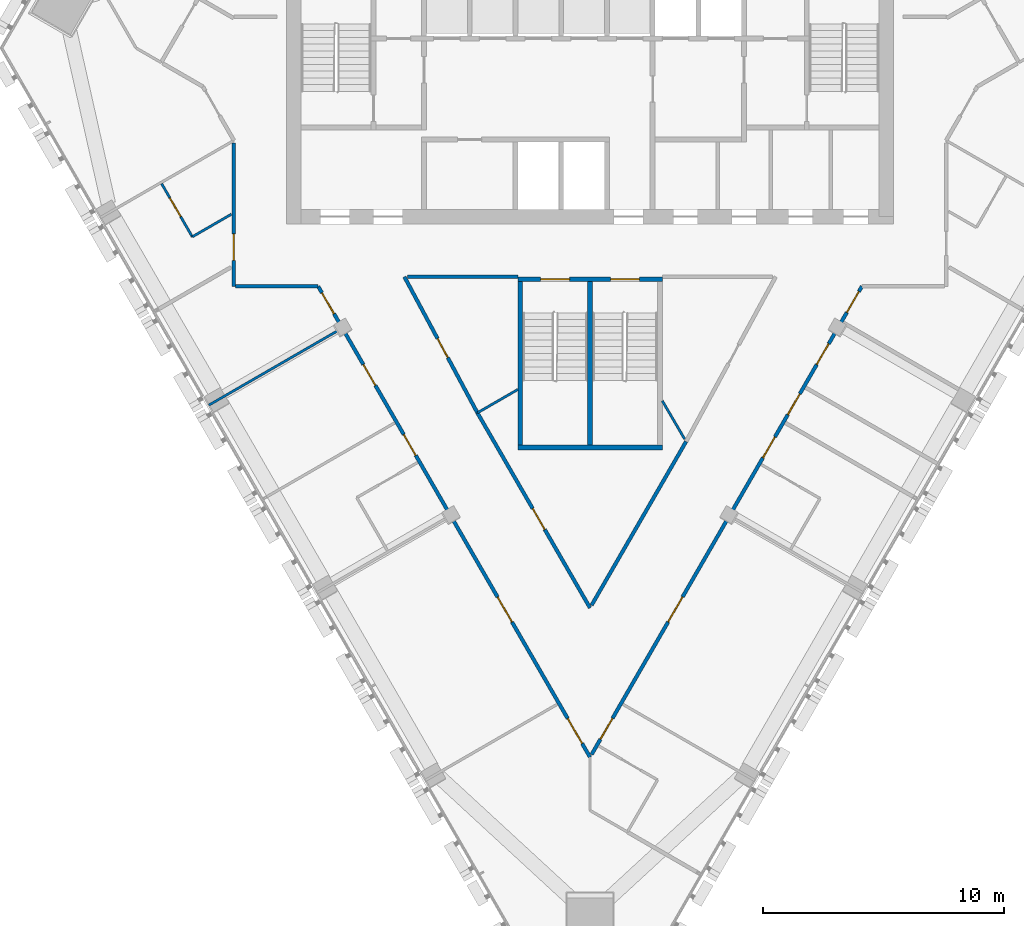
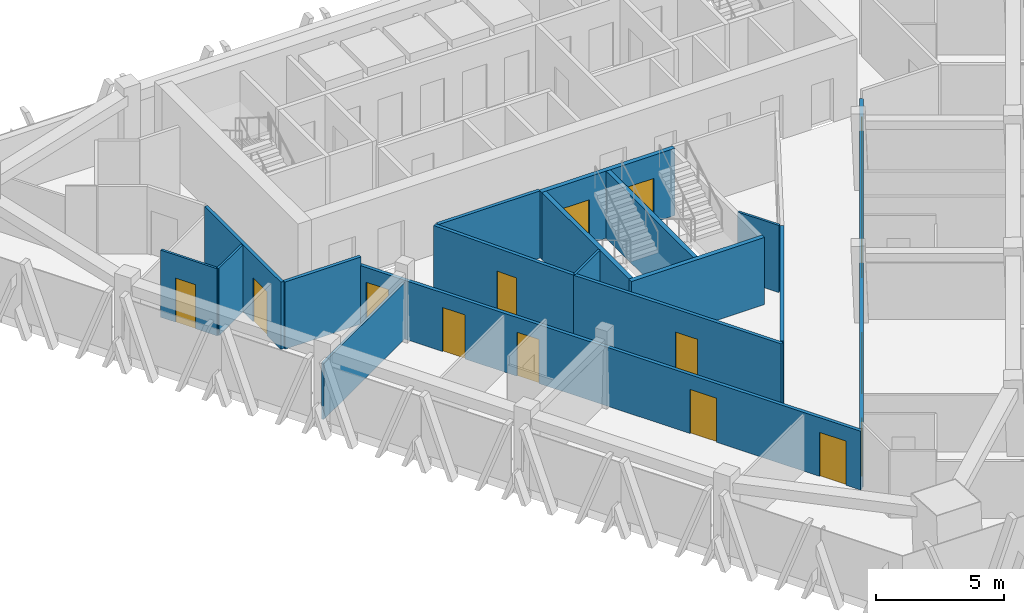
# One storey, part 8 of 14: 17 doors, 17 walls, 17 openings.
"""IFC4 building model written with IfcOpenShell, lengths in metres."""

from ifc_helpers import new_model, si_unit, direction, frame, frame_2d, origin, place, context, subcontext, project, spatial, rectangle, extrude, material, layer, layer_set, type_object, element, fill, save


model = new_model("IFC4")

# Units and contexts
model_context = context("Model", 3, precision=1e-05, world=origin(), true_north=direction((0.0, 1.0)))
body_context = subcontext(model_context, "Body", "Model", "MODEL_VIEW")
ifc_project = project(units=[si_unit("LENGTHUNIT", "METRE"), si_unit("AREAUNIT", "SQUARE_METRE"), si_unit("VOLUMEUNIT", "CUBIC_METRE"), si_unit("PLANEANGLEUNIT", "RADIAN"), si_unit("MASSUNIT", "GRAM", prefix="KILO")], contexts=[model_context])

# Site, building, storey
site_placement = place(None, origin())
site = spatial("IfcSite", under=ifc_project, at=site_placement, CompositionType="ELEMENT")
building_placement = place(site_placement, origin())
building = spatial("IfcBuilding", under=site, at=building_placement, Name="Altiplano Prism Tower", CompositionType="ELEMENT")
storey_placement = place(building_placement, frame((0.0, 0.0, 230.199951171875)))
storey = spatial("IfcBuildingStorey", under=building, at=storey_placement, Name="L59", CompositionType="ELEMENT", Elevation=230.199951171875)

# Wall
ifc_material_1 = material(Name="Plasterboard on steel stud", Category="steel")
ifc_layer_1 = layer(ifc_material_1, 0.10009765625)
ifc_layer_set_1 = layer_set([ifc_layer_1], Name="Plasterboard on steel stud")
wall_type_1 = type_object("IfcWallType", Name="Partition 100 unit", PredefinedType="PARTITIONING", material=ifc_layer_set_1)
wall_1_placement = place(storey_placement, frame((70.10009765625, 93.197265625, 0.0), z_axis=(0.0, 0.0, 1.0), x_axis=(-0.86599040064, -0.500060622324, 0.0)))
element("IfcWall", 1, at=wall_1_placement, inside=storey, type_object=wall_type_1, Name="Partition P02 L59 028", PredefinedType="PARTITIONING", context=body_context, shape_type="SweptSolid", body=[
    extrude(rectangle(XDim=1.874755859375, YDim=0.10009765625, at=frame_2d((0.9375, 0.0))), origin(), (0.0, 0.0, 1.0), 3.199951171875),
])

# Wall, opening, door
wall_2_placement = place(storey_placement, frame((68.4765625, 92.259765625, 0.0), z_axis=(0.0, 0.0, 1.0), x_axis=(-0.500020783669, 0.866013403995, 0.0)))
wall_2 = element("IfcWall", 2, at=wall_2_placement, inside=storey, type_object=wall_type_1, Name="Partition P02 L59 029", PredefinedType="PARTITIONING", context=body_context, shape_type="SweptSolid", body=[
    extrude(rectangle(XDim=2.55029296875, YDim=0.10009765625, at=frame_2d((1.275146484375, 0.0))), origin(), (0.0, 0.0, 1.0), 3.199951171875),
])
opening_1_placement = place(wall_2_placement, frame((0.968994140625, 0.0, 0.0)))
opening_1 = element("IfcOpeningElement", 3, at=opening_1_placement, cuts=wall_2, Name="Opening D1953", PredefinedType="OPENING", context=body_context, shape_type="SweptSolid", body=[
    extrude(rectangle(XDim=0.89990234375, YDim=2.10009765625, at=frame_2d((0.449951171875, 1.050048828125))), frame((0.0, 0.060546875, 0.0), z_axis=(0.0, -1.0, 0.0), x_axis=(1.0, 0.0, 0.0)), (0.0, 0.0, 1.0), 0.12109375),
])
ifc_material_2 = material(Name="Timber", Category="wood")
door_type_1 = type_object("IfcDoorType", Name="Accessible ensuite door 900 x 2100", OperationType="NOTDEFINED", PredefinedType="NOTDEFINED", material=ifc_material_2)
door_1_placement = place(opening_1_placement, origin())
door_1 = element("IfcDoor", 4, at=door_1_placement, inside=storey, type_object=door_type_1, Name="Door D1953", OperationType="SINGLE_SWING_LEFT", OverallHeight=2.10009765625, OverallWidth=0.89990234375, PredefinedType="NOTDEFINED", context=body_context, shape_type="SweptSolid", body=[
    extrude(rectangle(XDim=0.89990234375, YDim=2.10009765625, at=frame_2d((0.449951171875, 1.050048828125))), frame((0.0, 0.02490234375, 0.0), z_axis=(0.0, -1.0, 0.0), x_axis=(1.0, 0.0, 0.0)), (0.0, 0.0, 1.0), 0.050048828125),
])
fill(opening_1, door_1)

# Walls
ifc_layer_2 = layer(ifc_material_1, 0.10009765625)
ifc_layer_set_2 = layer_set([ifc_layer_2], Name="Plasterboard on steel stud")
wall_type_2 = type_object("IfcWallType", Name="Partition 100 wet", PredefinedType="PARTITIONING", material=ifc_layer_set_2)
wall_3_placement = place(storey_placement, frame((80.321044921875, 84.946533203125, 0.0), z_axis=(0.0, 0.0, 1.0), x_axis=(0.865994746772, 0.500053095744, 0.0)))
element("IfcWall", 5, at=wall_3_placement, inside=storey, type_object=wall_type_2, Name="Partition P03 L59 023", PredefinedType="PARTITIONING", context=body_context, shape_type="SweptSolid", body=[
    extrude(rectangle(XDim=1.938720703125, YDim=0.10009765625, at=frame_2d((0.96923828125, 0.0))), origin(), (0.0, 0.0, 1.0), 3.199951171875),
])
wall_4_placement = place(storey_placement, frame((88.0, 85.44873046875, 0.0), z_axis=(0.0, 0.0, 1.0), x_axis=(0.504907502572, -0.863173455249, 0.0)))
element("IfcWall", 6, at=wall_4_placement, inside=storey, type_object=wall_type_2, Name="Partition P03 L59 024", PredefinedType="PARTITIONING", context=body_context, shape_type="SweptSolid", body=[
    extrude(rectangle(XDim=1.8447265625, YDim=0.10009765625, at=frame_2d((0.92236328125, 0.0))), origin(), (0.0, 0.0, 1.0), 3.199951171875),
])
wall_5_placement = place(storey_placement, frame((69.1650390625, 85.267333984375, 0.0), z_axis=(0.0, 0.0, 1.0), x_axis=(0.866032601554, 0.49998753289, 0.0)))
element("IfcWall", 7, at=wall_5_placement, inside=storey, type_object=wall_type_2, Name="Partition P03 L59 031", PredefinedType="PARTITIONING", context=body_context, shape_type="SweptSolid", body=[
    extrude(rectangle(XDim=6.324951171875, YDim=0.10009765625, at=frame_2d((3.16259765625, 0.0))), origin(), (0.0, 0.0, 1.0), 2.699951171875),
])

# Wall, opening, door
ifc_layer_3 = layer(ifc_material_1, 0.14990234375)
ifc_layer_set_3 = layer_set([ifc_layer_3], Name="Plasterboard on steel stud")
wall_type_3 = type_object("IfcWallType", Name="Partition 150 corridor", PredefinedType="PARTITIONING", material=ifc_layer_set_3)
wall_6_placement = place(storey_placement, frame((80.321044921875, 84.946533203125, 0.0), z_axis=(0.0, 0.0, 1.0), x_axis=(-0.472885437696, 0.881123920238, 0.0)))
wall_6 = element("IfcWall", 8, at=wall_6_placement, inside=storey, type_object=wall_type_3, Name="Partition P06 L59 001", PredefinedType="PARTITIONING", context=body_context, shape_type="SweptSolid", body=[
    extrude(rectangle(XDim=6.416259765625, YDim=0.14990234375, at=frame_2d((3.2080078125, 0.0))), origin(), (0.0, 0.0, 1.0), 3.199951171875),
])
opening_2_placement = place(wall_6_placement, frame((2.60205078125, 0.0, 0.0)))
opening_2 = element("IfcOpeningElement", 9, at=opening_2_placement, cuts=wall_6, Name="Opening D1948", PredefinedType="OPENING", context=body_context, shape_type="SweptSolid", body=[
    extrude(rectangle(XDim=0.89990234375, YDim=2.10009765625, at=frame_2d((0.449951171875, 1.050048828125))), frame((0.0, 0.08544921875, 0.0), z_axis=(0.0, -1.0, 0.0), x_axis=(1.0, 0.0, 0.0)), (0.0, 0.0, 1.0), 0.1708984375),
])
door_type_2 = type_object("IfcDoorType", Name="Toilet door 900 x 2100", OperationType="NOTDEFINED", PredefinedType="NOTDEFINED", material=ifc_material_2)
door_2_placement = place(opening_2_placement, origin())
door_2 = element("IfcDoor", 10, at=door_2_placement, inside=storey, type_object=door_type_2, Name="Door D1948", OperationType="SINGLE_SWING_LEFT", OverallHeight=2.10009765625, OverallWidth=0.89990234375, PredefinedType="NOTDEFINED", context=body_context, shape_type="SweptSolid", body=[
    extrude(rectangle(XDim=0.89990234375, YDim=2.10009765625, at=frame_2d((0.449951171875, 1.050048828125))), frame((0.0, 0.02490234375, 0.0), z_axis=(0.0, -1.0, 0.0), x_axis=(1.0, 0.0, 0.0)), (0.0, 0.0, 1.0), 0.050048828125),
])
fill(opening_2, door_2)

# Walls
wall_7_placement = place(storey_placement, frame((77.412109375, 90.60009765625, 0.0), z_axis=(0.0, 0.0, 1.0), x_axis=(1.0, 0.0, 0.0)))
element("IfcWall", 11, at=wall_7_placement, inside=storey, type_object=wall_type_3, Name="Partition P06 L59 002", PredefinedType="PARTITIONING", context=body_context, shape_type="SweptSolid", body=[
    extrude(rectangle(XDim=4.587890625, YDim=0.14990234375, at=frame_2d((2.2939453125, 0.0))), origin(), (0.0, 0.0, 1.0), 3.199951171875),
])
wall_8_placement = place(storey_placement, frame((88.990966796875, 83.7548828125, 0.0), z_axis=(0.0, 0.0, 1.0), x_axis=(-0.500001468015, -0.866024556224, 0.0)))
element("IfcWall", 12, at=wall_8_placement, inside=storey, type_object=wall_type_3, Name="Partition P06 L59 005", PredefinedType="PARTITIONING", context=body_context, shape_type="SweptSolid", body=[
    extrude(rectangle(XDim=7.85205078125, YDim=0.14990234375, at=frame_2d((3.926025390625, 0.0))), origin(), (0.0, 0.0, 1.0), 3.199951171875),
])

# Wall, opening, door
wall_9_placement = place(storey_placement, frame((85.0, 76.84228515625, 0.0), z_axis=(0.0, 0.0, 1.0), x_axis=(-0.499997217876, 0.866027010039, 0.0)))
wall_9 = element("IfcWall", 13, at=wall_9_placement, inside=storey, type_object=wall_type_3, Name="Partition P06 L59 006", PredefinedType="PARTITIONING", context=body_context, shape_type="SweptSolid", body=[
    extrude(rectangle(XDim=9.35791015625, YDim=0.14990234375, at=frame_2d((4.678955078125, 0.0))), origin(), (0.0, 0.0, 1.0), 3.199951171875),
])
opening_3_placement = place(wall_9_placement, frame((3.76611328125, 0.0, 0.0)))
opening_3 = element("IfcOpeningElement", 14, at=opening_3_placement, cuts=wall_9, Name="Opening D1950", PredefinedType="OPENING", context=body_context, shape_type="SweptSolid", body=[
    extrude(rectangle(XDim=1.0, YDim=2.10009765625, at=frame_2d((0.5, 1.050048828125))), frame((0.0, 0.08544921875, 0.0), z_axis=(0.0, -1.0, 0.0), x_axis=(1.0, 0.0, 0.0)), (0.0, 0.0, 1.0), 0.1708984375),
])
door_type_3 = type_object("IfcDoorType", Name="Store door 1000 x 2100", OperationType="NOTDEFINED", PredefinedType="NOTDEFINED", material=ifc_material_2)
door_3_placement = place(opening_3_placement, origin())
door_3 = element("IfcDoor", 15, at=door_3_placement, inside=storey, type_object=door_type_3, Name="Door D1950", OperationType="SINGLE_SWING_LEFT", OverallHeight=2.10009765625, OverallWidth=1.0, PredefinedType="NOTDEFINED", context=body_context, shape_type="SweptSolid", body=[
    extrude(rectangle(XDim=1.0, YDim=2.10009765625, at=frame_2d((0.5, 1.050048828125))), frame((0.0, 0.02490234375, 0.0), z_axis=(0.0, -1.0, 0.0), x_axis=(1.0, 0.0, 0.0)), (0.0, 0.0, 1.0), 0.050048828125),
])
fill(opening_3, door_3)

wall_10_placement = place(storey_placement, frame((70.199951171875, 96.156005859375, 0.0), z_axis=(0.0, 0.0, 1.0), x_axis=(0.0, -1.0, 0.0)))
wall_10 = element("IfcWall", 16, at=wall_10_placement, inside=storey, type_object=wall_type_3, Name="Partition P06 L59 009", PredefinedType="PARTITIONING", context=body_context, shape_type="SweptSolid", body=[
    extrude(rectangle(XDim=5.9560546875, YDim=0.14990234375, at=frame_2d((2.97802734375, 0.0))), origin(), (0.0, 0.0, 1.0), 3.199951171875),
])
opening_4_placement = place(wall_10_placement, frame((3.77490234375, 0.0, 0.0)))
opening_4 = element("IfcOpeningElement", 17, at=opening_4_placement, cuts=wall_10, Name="Opening D1952", PredefinedType="OPENING", context=body_context, shape_type="SweptSolid", body=[
    extrude(rectangle(XDim=1.10009765625, YDim=2.10009765625, at=frame_2d((0.550048828125, 1.050048828125))), frame((0.0, 0.08544921875, 0.0), z_axis=(0.0, -1.0, 0.0), x_axis=(1.0, 0.0, 0.0)), (0.0, 0.0, 1.0), 0.1708984375),
])
door_type_4 = type_object("IfcDoorType", Name="Accessible bedroom door 1100 x 2100", OperationType="NOTDEFINED", PredefinedType="NOTDEFINED", material=ifc_material_2)
door_4_placement = place(opening_4_placement, origin())
door_4 = element("IfcDoor", 18, at=door_4_placement, inside=storey, type_object=door_type_4, Name="Door D1952", OperationType="SINGLE_SWING_LEFT", OverallHeight=2.10009765625, OverallWidth=1.10009765625, PredefinedType="NOTDEFINED", context=body_context, shape_type="SweptSolid", body=[
    extrude(rectangle(XDim=1.10009765625, YDim=2.10009765625, at=frame_2d((0.550048828125, 1.050048828125))), frame((0.0, 0.02490234375, 0.0), z_axis=(0.0, -1.0, 0.0), x_axis=(1.0, 0.0, 0.0)), (0.0, 0.0, 1.0), 0.050048828125),
])
fill(opening_4, door_4)

# Wall
wall_11_placement = place(storey_placement, frame((70.27490234375, 90.199951171875, 0.0), z_axis=(0.0, 0.0, 1.0), x_axis=(1.0, 0.0, 0.0)))
element("IfcWall", 19, at=wall_11_placement, inside=storey, type_object=wall_type_3, Name="Partition P06 L59 010", PredefinedType="PARTITIONING", context=body_context, shape_type="SweptSolid", body=[
    extrude(rectangle(XDim=3.432373046875, YDim=0.14990234375, at=frame_2d((1.71630859375, 0.0))), origin(), (0.0, 0.0, 1.0), 3.199951171875),
])

# Wall, openings, doors
wall_12_placement = place(storey_placement, frame((73.707275390625, 90.199951171875, 0.0), z_axis=(0.0, 0.0, 1.0), x_axis=(0.500000047294, -0.866025376479, 0.0)))
wall_12 = element("IfcWall", 20, at=wall_12_placement, inside=storey, type_object=wall_type_3, Name="Partition P06 L59 011", PredefinedType="PARTITIONING", context=body_context, shape_type="SweptSolid", body=[
    extrude(rectangle(XDim=22.58544921875, YDim=0.14990234375, at=frame_2d((11.292724609375, 0.0))), origin(), (0.0, 0.0, 1.0), 2.800048828125),
])
opening_5_placement = place(wall_12_placement, frame((0.31103515625, 0.0, 0.0)))
opening_5 = element("IfcOpeningElement", 21, at=opening_5_placement, cuts=wall_12, Name="Opening D1954", PredefinedType="OPENING", context=body_context, shape_type="SweptSolid", body=[
    extrude(rectangle(XDim=1.0, YDim=2.10009765625, at=frame_2d((0.5, 1.050048828125))), frame((0.0, 0.08544921875, 0.0), z_axis=(0.0, -1.0, 0.0), x_axis=(1.0, 0.0, 0.0)), (0.0, 0.0, 1.0), 0.1708984375),
])
opening_6_placement = place(wall_12_placement, frame((3.7509765625, 0.0, 0.0)))
opening_6 = element("IfcOpeningElement", 22, at=opening_6_placement, cuts=wall_12, Name="Opening D1955", PredefinedType="OPENING", context=body_context, shape_type="SweptSolid", body=[
    extrude(rectangle(XDim=1.0, YDim=2.10009765625, at=frame_2d((0.5, 1.050048828125))), frame((0.0, 0.08544921875, 0.0), z_axis=(0.0, -1.0, 0.0), x_axis=(1.0, 0.0, 0.0)), (0.0, 0.0, 1.0), 0.1708984375),
])
opening_7_placement = place(wall_12_placement, frame((7.10498046875, 0.0, 0.0)))
opening_7 = element("IfcOpeningElement", 23, at=opening_7_placement, cuts=wall_12, Name="Opening D1956", PredefinedType="OPENING", context=body_context, shape_type="SweptSolid", body=[
    extrude(rectangle(XDim=1.0, YDim=2.10009765625, at=frame_2d((0.5, 1.050048828125))), frame((0.0, 0.08544921875, 0.0), z_axis=(0.0, -1.0, 0.0), x_axis=(1.0, 0.0, 0.0)), (0.0, 0.0, 1.0), 0.1708984375),
])
opening_8_placement = place(wall_12_placement, frame((14.90087890625, 0.0, 0.0)))
opening_8 = element("IfcOpeningElement", 24, at=opening_8_placement, cuts=wall_12, Name="Opening D1958", PredefinedType="OPENING", context=body_context, shape_type="SweptSolid", body=[
    extrude(rectangle(XDim=1.199951171875, YDim=2.10009765625, at=frame_2d((0.60009765625, 1.050048828125))), frame((0.0, 0.08544921875, 0.0), z_axis=(0.0, -1.0, 0.0), x_axis=(1.0, 0.0, 0.0)), (0.0, 0.0, 1.0), 0.1708984375),
])
opening_9_placement = place(wall_12_placement, frame((20.73095703125, 0.0, 0.0)))
opening_9 = element("IfcOpeningElement", 25, at=opening_9_placement, cuts=wall_12, Name="Opening D1959", PredefinedType="OPENING", context=body_context, shape_type="SweptSolid", body=[
    extrude(rectangle(XDim=1.199951171875, YDim=2.10009765625, at=frame_2d((0.60009765625, 1.050048828125))), frame((0.0, 0.08544921875, 0.0), z_axis=(0.0, -1.0, 0.0), x_axis=(1.0, 0.0, 0.0)), (0.0, 0.0, 1.0), 0.1708984375),
])
door_type_5 = type_object("IfcDoorType", Name="Bedroom entrance door 1000 x 2100", OperationType="NOTDEFINED", PredefinedType="NOTDEFINED", material=ifc_material_2)
door_5_placement = place(opening_7_placement, origin())
door_5 = element("IfcDoor", 26, at=door_5_placement, inside=storey, type_object=door_type_5, Name="Door D1956", OperationType="SINGLE_SWING_RIGHT", OverallHeight=2.10009765625, OverallWidth=1.0, PredefinedType="NOTDEFINED", context=body_context, shape_type="SweptSolid", body=[
    extrude(rectangle(XDim=1.0, YDim=2.10009765625, at=frame_2d((0.5, 1.050048828125))), frame((0.0, 0.02490234375, 0.0), z_axis=(0.0, -1.0, 0.0), x_axis=(1.0, 0.0, 0.0)), (0.0, 0.0, 1.0), 0.050048828125),
])
fill(opening_7, door_5)
door_type_6 = type_object("IfcDoorType", Name="Room door 1000 x 2100", OperationType="NOTDEFINED", PredefinedType="NOTDEFINED", material=ifc_material_2)
door_6_placement = place(opening_5_placement, origin())
door_6 = element("IfcDoor", 27, at=door_6_placement, inside=storey, type_object=door_type_6, Name="Door D1954", OperationType="SINGLE_SWING_RIGHT", OverallHeight=2.10009765625, OverallWidth=1.0, PredefinedType="NOTDEFINED", context=body_context, shape_type="SweptSolid", body=[
    extrude(rectangle(XDim=1.0, YDim=2.10009765625, at=frame_2d((0.5, 1.050048828125))), frame((0.0, 0.02490234375, 0.0), z_axis=(0.0, -1.0, 0.0), x_axis=(1.0, 0.0, 0.0)), (0.0, 0.0, 1.0), 0.050048828125),
])
fill(opening_5, door_6)
door_7_placement = place(opening_6_placement, origin())
door_7 = element("IfcDoor", 28, at=door_7_placement, inside=storey, type_object=door_type_6, Name="Door D1955", OperationType="SINGLE_SWING_RIGHT", OverallHeight=2.10009765625, OverallWidth=1.0, PredefinedType="NOTDEFINED", context=body_context, shape_type="SweptSolid", body=[
    extrude(rectangle(XDim=1.0, YDim=2.10009765625, at=frame_2d((0.5, 1.050048828125))), frame((0.0, 0.02490234375, 0.0), z_axis=(0.0, -1.0, 0.0), x_axis=(1.0, 0.0, 0.0)), (0.0, 0.0, 1.0), 0.050048828125),
])
fill(opening_6, door_7)
door_type_7 = type_object("IfcDoorType", Name="Shared room door 1200 x 2100", OperationType="NOTDEFINED", PredefinedType="NOTDEFINED", material=ifc_material_2)
door_8_placement = place(opening_8_placement, origin())
door_8 = element("IfcDoor", 29, at=door_8_placement, inside=storey, type_object=door_type_7, Name="Door D1958", OperationType="SINGLE_SWING_RIGHT", OverallHeight=2.10009765625, OverallWidth=1.199951171875, PredefinedType="NOTDEFINED", context=body_context, shape_type="SweptSolid", body=[
    extrude(rectangle(XDim=1.199951171875, YDim=2.10009765625, at=frame_2d((0.60009765625, 1.050048828125))), frame((0.0, 0.02490234375, 0.0), z_axis=(0.0, -1.0, 0.0), x_axis=(1.0, 0.0, 0.0)), (0.0, 0.0, 1.0), 0.050048828125),
])
fill(opening_8, door_8)
door_9_placement = place(opening_9_placement, origin())
door_9 = element("IfcDoor", 30, at=door_9_placement, inside=storey, type_object=door_type_7, Name="Door D1959", OperationType="SINGLE_SWING_LEFT", OverallHeight=2.10009765625, OverallWidth=1.199951171875, PredefinedType="NOTDEFINED", context=body_context, shape_type="SweptSolid", body=[
    extrude(rectangle(XDim=1.199951171875, YDim=2.10009765625, at=frame_2d((0.60009765625, 1.050048828125))), frame((0.0, 0.02490234375, 0.0), z_axis=(0.0, -1.0, 0.0), x_axis=(1.0, 0.0, 0.0)), (0.0, 0.0, 1.0), 0.050048828125),
])
fill(opening_9, door_9)

wall_13_placement = place(storey_placement, frame((85.06494140625, 70.7529296875, 0.0), z_axis=(0.0, 0.0, 1.0), x_axis=(0.500001339788, 0.866024630256, 0.0)))
wall_13 = element("IfcWall", 31, at=wall_13_placement, inside=storey, type_object=wall_type_3, Name="Partition P06 L59 012", PredefinedType="PARTITIONING", context=body_context, shape_type="SweptSolid", body=[
    extrude(rectangle(XDim=22.45556640625, YDim=0.14990234375, at=frame_2d((11.227783203125, 0.0))), origin(), (0.0, 0.0, 1.0), 2.800048828125),
])
opening_10_placement = place(wall_13_placement, frame((0.73388671875, 0.0, 0.0)))
opening_10 = element("IfcOpeningElement", 32, at=opening_10_placement, cuts=wall_13, Name="Opening D1960", PredefinedType="OPENING", context=body_context, shape_type="SweptSolid", body=[
    extrude(rectangle(XDim=1.0, YDim=2.10009765625, at=frame_2d((0.5, 1.050048828125))), frame((0.0, 0.08544921875, 0.0), z_axis=(0.0, -1.0, 0.0), x_axis=(1.0, 0.0, 0.0)), (0.0, 0.0, 1.0), 0.1708984375),
])
opening_11_placement = place(wall_13_placement, frame((6.35498046875, 0.0, 0.0)))
opening_11 = element("IfcOpeningElement", 33, at=opening_11_placement, cuts=wall_13, Name="Opening D1962", PredefinedType="OPENING", context=body_context, shape_type="SweptSolid", body=[
    extrude(rectangle(XDim=1.199951171875, YDim=2.10009765625, at=frame_2d((0.60009765625, 1.050048828125))), frame((0.0, 0.08544921875, 0.0), z_axis=(0.0, -1.0, 0.0), x_axis=(1.0, 0.0, 0.0)), (0.0, 0.0, 1.0), 0.1708984375),
])
opening_12_placement = place(wall_13_placement, frame((14.23388671875, 0.0, 0.0)))
opening_12 = element("IfcOpeningElement", 34, at=opening_12_placement, cuts=wall_13, Name="Opening D1963", PredefinedType="OPENING", context=body_context, shape_type="SweptSolid", body=[
    extrude(rectangle(XDim=1.0, YDim=2.10009765625, at=frame_2d((0.5, 1.050048828125))), frame((0.0, 0.08544921875, 0.0), z_axis=(0.0, -1.0, 0.0), x_axis=(1.0, 0.0, 0.0)), (0.0, 0.0, 1.0), 0.1708984375),
])
opening_13_placement = place(wall_13_placement, frame((16.300048828125, 0.0, 0.0)))
opening_13 = element("IfcOpeningElement", 35, at=opening_13_placement, cuts=wall_13, Name="Opening D1965", PredefinedType="OPENING", context=body_context, shape_type="SweptSolid", body=[
    extrude(rectangle(XDim=1.0, YDim=2.10009765625, at=frame_2d((0.5, 1.050048828125))), frame((0.0, 0.08544921875, 0.0), z_axis=(0.0, -1.0, 0.0), x_axis=(1.0, 0.0, 0.0)), (0.0, 0.0, 1.0), 0.1708984375),
])
opening_14_placement = place(wall_13_placement, frame((18.7041015625, 0.0, 0.0)))
opening_14 = element("IfcOpeningElement", 36, at=opening_14_placement, cuts=wall_13, Name="Opening D1966", PredefinedType="OPENING", context=body_context, shape_type="SweptSolid", body=[
    extrude(rectangle(XDim=1.0, YDim=2.10009765625, at=frame_2d((0.5, 1.050048828125))), frame((0.0, 0.08544921875, 0.0), z_axis=(0.0, -1.0, 0.0), x_axis=(1.0, 0.0, 0.0)), (0.0, 0.0, 1.0), 0.1708984375),
])
opening_15_placement = place(wall_13_placement, frame((21.2080078125, 0.0, 0.0)))
opening_15 = element("IfcOpeningElement", 37, at=opening_15_placement, cuts=wall_13, Name="Opening D1967", PredefinedType="OPENING", context=body_context, shape_type="SweptSolid", body=[
    extrude(rectangle(XDim=1.0, YDim=2.10009765625, at=frame_2d((0.5, 1.050048828125))), frame((0.0, 0.08544921875, 0.0), z_axis=(0.0, -1.0, 0.0), x_axis=(1.0, 0.0, 0.0)), (0.0, 0.0, 1.0), 0.1708984375),
])
door_10_placement = place(opening_10_placement, origin())
door_10 = element("IfcDoor", 38, at=door_10_placement, inside=storey, type_object=door_type_5, Name="Door D1960", OperationType="SINGLE_SWING_RIGHT", OverallHeight=2.10009765625, OverallWidth=1.0, PredefinedType="NOTDEFINED", context=body_context, shape_type="SweptSolid", body=[
    extrude(rectangle(XDim=1.0, YDim=2.10009765625, at=frame_2d((0.5, 1.050048828125))), frame((0.0, 0.02490234375, 0.0), z_axis=(0.0, -1.0, 0.0), x_axis=(1.0, 0.0, 0.0)), (0.0, 0.0, 1.0), 0.050048828125),
])
fill(opening_10, door_10)
door_11_placement = place(opening_12_placement, origin())
door_11 = element("IfcDoor", 39, at=door_11_placement, inside=storey, type_object=door_type_5, Name="Door D1963", OperationType="SINGLE_SWING_RIGHT", OverallHeight=2.10009765625, OverallWidth=1.0, PredefinedType="NOTDEFINED", context=body_context, shape_type="SweptSolid", body=[
    extrude(rectangle(XDim=1.0, YDim=2.10009765625, at=frame_2d((0.5, 1.050048828125))), frame((0.0, 0.02490234375, 0.0), z_axis=(0.0, -1.0, 0.0), x_axis=(1.0, 0.0, 0.0)), (0.0, 0.0, 1.0), 0.050048828125),
])
fill(opening_12, door_11)
door_12_placement = place(opening_15_placement, origin())
door_12 = element("IfcDoor", 40, at=door_12_placement, inside=storey, type_object=door_type_6, Name="Door D1967", OperationType="SINGLE_SWING_LEFT", OverallHeight=2.10009765625, OverallWidth=1.0, PredefinedType="NOTDEFINED", context=body_context, shape_type="SweptSolid", body=[
    extrude(rectangle(XDim=1.0, YDim=2.10009765625, at=frame_2d((0.5, 1.050048828125))), frame((0.0, 0.02490234375, 0.0), z_axis=(0.0, -1.0, 0.0), x_axis=(1.0, 0.0, 0.0)), (0.0, 0.0, 1.0), 0.050048828125),
])
fill(opening_15, door_12)
door_13_placement = place(opening_11_placement, origin())
door_13 = element("IfcDoor", 41, at=door_13_placement, inside=storey, type_object=door_type_7, Name="Door D1962", OperationType="SINGLE_SWING_LEFT", OverallHeight=2.10009765625, OverallWidth=1.199951171875, PredefinedType="NOTDEFINED", context=body_context, shape_type="SweptSolid", body=[
    extrude(rectangle(XDim=1.199951171875, YDim=2.10009765625, at=frame_2d((0.60009765625, 1.050048828125))), frame((0.0, 0.02490234375, 0.0), z_axis=(0.0, -1.0, 0.0), x_axis=(1.0, 0.0, 0.0)), (0.0, 0.0, 1.0), 0.050048828125),
])
fill(opening_11, door_13)
door_14_placement = place(opening_13_placement, origin())
door_14 = element("IfcDoor", 42, at=door_14_placement, inside=storey, type_object=door_type_3, Name="Door D1965", OperationType="SINGLE_SWING_RIGHT", OverallHeight=2.10009765625, OverallWidth=1.0, PredefinedType="NOTDEFINED", context=body_context, shape_type="SweptSolid", body=[
    extrude(rectangle(XDim=1.0, YDim=2.10009765625, at=frame_2d((0.5, 1.050048828125))), frame((0.0, 0.02490234375, 0.0), z_axis=(0.0, -1.0, 0.0), x_axis=(1.0, 0.0, 0.0)), (0.0, 0.0, 1.0), 0.050048828125),
])
fill(opening_13, door_14)
door_15_placement = place(opening_14_placement, origin())
door_15 = element("IfcDoor", 43, at=door_15_placement, inside=storey, type_object=door_type_3, Name="Door D1966", OperationType="SINGLE_SWING_RIGHT", OverallHeight=2.10009765625, OverallWidth=1.0, PredefinedType="NOTDEFINED", context=body_context, shape_type="SweptSolid", body=[
    extrude(rectangle(XDim=1.0, YDim=2.10009765625, at=frame_2d((0.5, 1.050048828125))), frame((0.0, 0.02490234375, 0.0), z_axis=(0.0, -1.0, 0.0), x_axis=(1.0, 0.0, 0.0)), (0.0, 0.0, 1.0), 0.050048828125),
])
fill(opening_14, door_15)

ifc_material_3 = material(Name="Concrete C60/75", Category="concrete")
ifc_layer_4 = layer(ifc_material_3, 0.199951171875)
ifc_layer_set_4 = layer_set([ifc_layer_4], Name="Concrete C60/75")
wall_type_4 = type_object("IfcWallType", Name="Stair wall 200", PredefinedType="SOLIDWALL", material=ifc_layer_set_4)
wall_14_placement = place(storey_placement, frame((82.0, 90.5, 0.0), z_axis=(0.0, 0.0, 1.0), x_axis=(1.0, 0.0, 0.0)))
wall_14 = element("IfcWall", 44, at=wall_14_placement, inside=storey, type_object=wall_type_4, Name="Stair 3 wall north L59", PredefinedType="SOLIDWALL", context=body_context, shape_type="SweptSolid", body=[
    extrude(rectangle(XDim=6.0, YDim=0.199951171875, at=frame_2d((3.0, 0.0))), origin(), (0.0, 0.0, 1.0), 3.199951171875),
])
opening_16_placement = place(wall_14_placement, frame((0.949951171875, 0.0, 0.0)))
opening_16 = element("IfcOpeningElement", 45, at=opening_16_placement, cuts=wall_14, Name="Opening D4040", PredefinedType="OPENING", context=body_context, shape_type="SweptSolid", body=[
    extrude(rectangle(XDim=1.199951171875, YDim=2.10009765625, at=frame_2d((0.60009765625, 1.050048828125))), frame((0.0, 0.1103515625, 0.0), z_axis=(0.0, -1.0, 0.0), x_axis=(1.0, 0.0, 0.0)), (0.0, 0.0, 1.0), 0.220947265625),
])
opening_17_placement = place(wall_14_placement, frame((3.85009765625, 0.0, 0.0)))
opening_17 = element("IfcOpeningElement", 46, at=opening_17_placement, cuts=wall_14, Name="Opening D4041", PredefinedType="OPENING", context=body_context, shape_type="SweptSolid", body=[
    extrude(rectangle(XDim=1.199951171875, YDim=2.10009765625, at=frame_2d((0.60009765625, 1.050048828125))), frame((0.0, 0.1103515625, 0.0), z_axis=(0.0, -1.0, 0.0), x_axis=(1.0, 0.0, 0.0)), (0.0, 0.0, 1.0), 0.220947265625),
])
ifc_material_4 = material(Name="Fire-rated steel door", Category="steel")
door_type_8 = type_object("IfcDoorType", Name="Stair fire door 1200 x 2100", OperationType="NOTDEFINED", PredefinedType="NOTDEFINED", material=ifc_material_4)
door_16_placement = place(opening_16_placement, origin())
door_16 = element("IfcDoor", 47, at=door_16_placement, inside=storey, type_object=door_type_8, Name="Stair fire door D4040", OperationType="SINGLE_SWING_LEFT", OverallHeight=2.10009765625, OverallWidth=1.199951171875, PredefinedType="NOTDEFINED", context=body_context, shape_type="SweptSolid", body=[
    extrude(rectangle(XDim=1.199951171875, YDim=2.10009765625, at=frame_2d((0.60009765625, 1.050048828125))), frame((0.0, 0.02490234375, 0.0), z_axis=(0.0, -1.0, 0.0), x_axis=(1.0, 0.0, 0.0)), (0.0, 0.0, 1.0), 0.050048828125),
])
fill(opening_16, door_16)
door_17_placement = place(opening_17_placement, origin())
door_17 = element("IfcDoor", 48, at=door_17_placement, inside=storey, type_object=door_type_8, Name="Stair fire door D4041", OperationType="SINGLE_SWING_LEFT", OverallHeight=2.10009765625, OverallWidth=1.199951171875, PredefinedType="NOTDEFINED", context=body_context, shape_type="SweptSolid", body=[
    extrude(rectangle(XDim=1.199951171875, YDim=2.10009765625, at=frame_2d((0.60009765625, 1.050048828125))), frame((0.0, 0.02490234375, 0.0), z_axis=(0.0, -1.0, 0.0), x_axis=(1.0, 0.0, 0.0)), (0.0, 0.0, 1.0), 0.050048828125),
])
fill(opening_17, door_17)

# Walls
wall_15_placement = place(storey_placement, frame((82.0, 83.5, 0.0), z_axis=(0.0, 0.0, 1.0), x_axis=(1.0, 0.0, 0.0)))
element("IfcWall", 49, at=wall_15_placement, inside=storey, type_object=wall_type_4, Name="Stair 3 wall south L59", PredefinedType="SOLIDWALL", context=body_context, shape_type="SweptSolid", body=[
    extrude(rectangle(XDim=6.0, YDim=0.199951171875, at=frame_2d((3.0, 0.0))), origin(), (0.0, 0.0, 1.0), 3.199951171875),
])
for number, where, z_axis, x_axis, name in (
    (50, (82.10009765625, 83.60009765625, 0.0), (0.0, 0.0, 1.0), (0.0, 1.0, 0.0), "Stair 3 wall west L59"),
    (51, (85.0, 83.60009765625, 0.0), (0.0, 0.0, 1.0), (0.0, 1.0, 0.0), "Stair 3 wall divider L59"),
):
    element("IfcWall", number, at=place(storey_placement, frame(where, z_axis=z_axis, x_axis=x_axis)), inside=storey, type_object=wall_type_4, Name=name, PredefinedType="SOLIDWALL", context=body_context, shape_type="SweptSolid", body=[
        extrude(rectangle(XDim=6.7998046875, YDim=0.199951171875, at=frame_2d((3.39990234375, 0.0))), origin(), (0.0, 0.0, 1.0), 3.199951171875),
    ])

save(model, "model.ifc")
